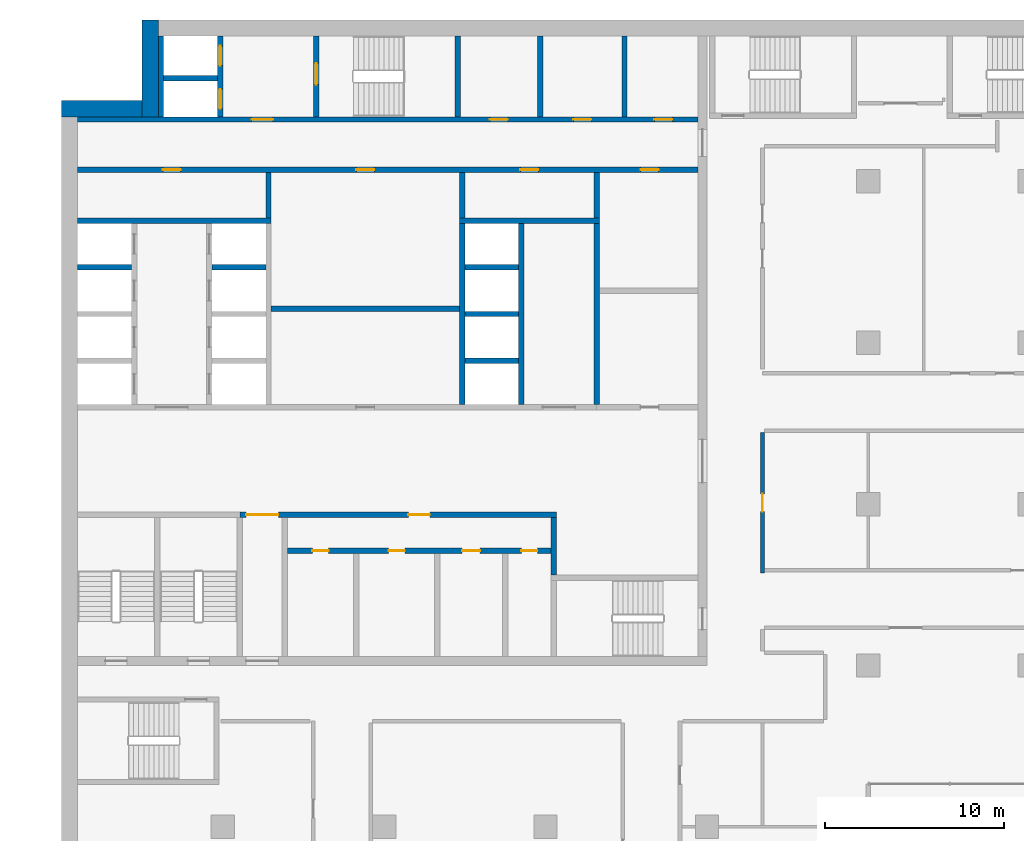
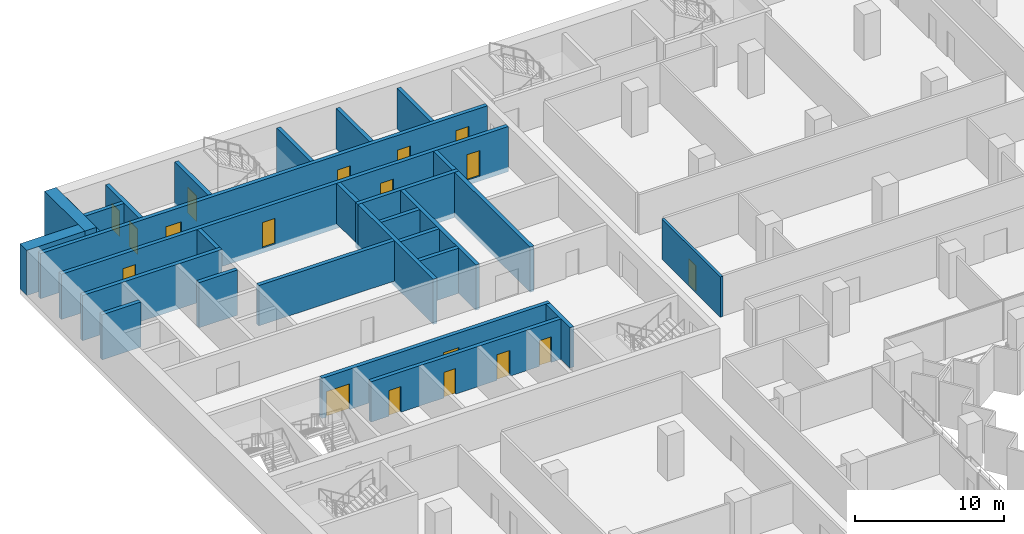
# One storey, part 13 of 23: 29 walls, 18 doors, 18 openings.
"""IFC4 building model written with IfcOpenShell, lengths in metres."""

from ifc_helpers import new_model, si_unit, direction, frame, frame_2d, origin, place, context, subcontext, project, spatial, rectangle, extrude, material, layer, layer_set, type_object, element, fill, save


model = new_model("IFC4")

# Units and contexts
model_context = context("Model", 3, precision=1e-05, world=origin(), true_north=direction((0.0, 1.0)))
body_context = subcontext(model_context, "Body", "Model", "MODEL_VIEW")
ifc_project = project(units=[si_unit("LENGTHUNIT", "METRE"), si_unit("AREAUNIT", "SQUARE_METRE"), si_unit("VOLUMEUNIT", "CUBIC_METRE"), si_unit("PLANEANGLEUNIT", "RADIAN"), si_unit("MASSUNIT", "GRAM", prefix="KILO")], contexts=[model_context])

# Site, building, storey
site_placement = place(None, origin())
site = spatial("IfcSite", under=ifc_project, at=site_placement, CompositionType="ELEMENT")
building_placement = place(site_placement, origin())
building = spatial("IfcBuilding", under=site, at=building_placement, Name="Hunhe Ridgeline Campus", CompositionType="ELEMENT")
storey_placement = place(building_placement, frame((0.0, 0.0, 107.0)))
storey = spatial("IfcBuildingStorey", under=building, at=storey_placement, Name="L26", CompositionType="ELEMENT", Elevation=107.0)

# Wall, openings, doors
ifc_material_1 = material(Name="Masonry concrete blockwork", Category="masonry")
ifc_layer_1 = layer(ifc_material_1, 0.300048828125)
ifc_layer_set_1 = layer_set([ifc_layer_1], Name="Core room partition 300 concrete block")
wall_type_1 = type_object("IfcWallType", Name="Core room partition 300 concrete block", PredefinedType="PARTITIONING", material=ifc_layer_set_1)
wall_1_placement = place(storey_placement, frame((12.60009765625, 69.39990234375, 0.0), z_axis=(0.0, 0.0, 1.0), x_axis=(1.0, 0.0, 0.0)))
wall_1 = element("IfcWall", 1, at=wall_1_placement, inside=storey, type_object=wall_type_1, Name="L26 core partition 9", PredefinedType="PARTITIONING", context=body_context, shape_type="SweptSolid", body=[
    extrude(rectangle(XDim=14.699951171875, YDim=0.300048828125, at=frame_2d((7.35009765625, 0.0))), origin(), (0.0, 0.0, 1.0), 3.300048828125),
])
opening_1_placement = place(wall_1_placement, frame((1.39990234375, 0.0, 0.0)))
opening_1 = element("IfcOpeningElement", 2, at=opening_1_placement, cuts=wall_1, Name="Opening CD8", PredefinedType="OPENING", context=body_context, shape_type="SweptSolid", body=[
    extrude(rectangle(XDim=0.89990234375, YDim=2.10009765625, at=frame_2d((0.449951171875, 1.050048828125))), frame((0.0, 0.14990234375, 0.0), z_axis=(0.0, -1.0, 0.0), x_axis=(1.0, 0.0, 0.0)), (0.0, 0.0, 1.0), 0.300048828125),
])
opening_2_placement = place(wall_1_placement, frame((5.64990234375, 0.0, 0.0)))
opening_2 = element("IfcOpeningElement", 3, at=opening_2_placement, cuts=wall_1, Name="Opening CD9", PredefinedType="OPENING", context=body_context, shape_type="SweptSolid", body=[
    extrude(rectangle(XDim=0.89990234375, YDim=2.10009765625, at=frame_2d((0.449951171875, 1.050048828125))), frame((0.0, 0.14990234375, 0.0), z_axis=(0.0, -1.0, 0.0), x_axis=(1.0, 0.0, 0.0)), (0.0, 0.0, 1.0), 0.300048828125),
])
opening_3_placement = place(wall_1_placement, frame((9.75, 0.0, 0.0)))
opening_3 = element("IfcOpeningElement", 4, at=opening_3_placement, cuts=wall_1, Name="Opening CD10", PredefinedType="OPENING", context=body_context, shape_type="SweptSolid", body=[
    extrude(rectangle(XDim=1.0, YDim=2.10009765625, at=frame_2d((0.5, 1.050048828125))), frame((0.0, 0.14990234375, 0.0), z_axis=(0.0, -1.0, 0.0), x_axis=(1.0, 0.0, 0.0)), (0.0, 0.0, 1.0), 0.300048828125),
])
opening_4_placement = place(wall_1_placement, frame((13.050048828125, 0.0, 0.0)))
opening_4 = element("IfcOpeningElement", 5, at=opening_4_placement, cuts=wall_1, Name="Opening CD11", PredefinedType="OPENING", context=body_context, shape_type="SweptSolid", body=[
    extrude(rectangle(XDim=0.89990234375, YDim=2.10009765625, at=frame_2d((0.449951171875, 1.050048828125))), frame((0.0, 0.14990234375, 0.0), z_axis=(0.0, -1.0, 0.0), x_axis=(1.0, 0.0, 0.0)), (0.0, 0.0, 1.0), 0.300048828125),
])
ifc_material_2 = material(Name="Solid core timber door leaf", Category="wood")
door_type_1 = type_object("IfcDoorType", Name="Timber door 1000x2100", OperationType="SINGLE_SWING_LEFT", PredefinedType="DOOR", material=ifc_material_2)
door_1_placement = place(opening_3_placement, frame((1.0, 0.0, 0.0), z_axis=(0.0, 0.0, 1.0), x_axis=(-1.0, 0.0, 0.0)))
door_1 = element("IfcDoor", 6, at=door_1_placement, inside=storey, type_object=door_type_1, Name="L26 door WC3", OperationType="SINGLE_SWING_RIGHT", OverallHeight=2.10009765625, OverallWidth=1.0, PredefinedType="DOOR", context=body_context, shape_type="SweptSolid", body=[
    extrude(rectangle(XDim=1.0, YDim=2.10009765625, at=frame_2d((0.5, 1.050048828125))), frame((0.0, 0.02490234375, 0.0), z_axis=(0.0, -1.0, 0.0), x_axis=(1.0, 0.0, 0.0)), (0.0, 0.0, 1.0), 0.050048828125),
])
fill(opening_3, door_1)
door_type_2 = type_object("IfcDoorType", Name="Timber door 900x2100", OperationType="SINGLE_SWING_LEFT", PredefinedType="DOOR", material=ifc_material_2)
door_2_placement = place(opening_1_placement, frame((0.89990234375, 0.0, 0.0), z_axis=(0.0, 0.0, 1.0), x_axis=(-1.0, 0.0, 0.0)))
door_2 = element("IfcDoor", 7, at=door_2_placement, inside=storey, type_object=door_type_2, Name="L26 door WC1", OperationType="SINGLE_SWING_RIGHT", OverallHeight=2.10009765625, OverallWidth=0.89990234375, PredefinedType="DOOR", context=body_context, shape_type="SweptSolid", body=[
    extrude(rectangle(XDim=0.89990234375, YDim=2.10009765625, at=frame_2d((0.449951171875, 1.050048828125))), frame((0.0, 0.02490234375, 0.0), z_axis=(0.0, -1.0, 0.0), x_axis=(1.0, 0.0, 0.0)), (0.0, 0.0, 1.0), 0.050048828125),
])
fill(opening_1, door_2)
door_3_placement = place(opening_2_placement, frame((0.89990234375, 0.0, 0.0), z_axis=(0.0, 0.0, 1.0), x_axis=(-1.0, 0.0, 0.0)))
door_3 = element("IfcDoor", 8, at=door_3_placement, inside=storey, type_object=door_type_2, Name="L26 door WC2", OperationType="SINGLE_SWING_LEFT", OverallHeight=2.10009765625, OverallWidth=0.89990234375, PredefinedType="DOOR", context=body_context, shape_type="SweptSolid", body=[
    extrude(rectangle(XDim=0.89990234375, YDim=2.10009765625, at=frame_2d((0.449951171875, 1.050048828125))), frame((0.0, 0.02490234375, 0.0), z_axis=(0.0, -1.0, 0.0), x_axis=(1.0, 0.0, 0.0)), (0.0, 0.0, 1.0), 0.050048828125),
])
fill(opening_2, door_3)
door_4_placement = place(opening_4_placement, frame((0.89990234375, 0.0, 0.0), z_axis=(0.0, 0.0, 1.0), x_axis=(-1.0, 0.0, 0.0)))
door_4 = element("IfcDoor", 9, at=door_4_placement, inside=storey, type_object=door_type_2, Name="L26 door WC4", OperationType="SINGLE_SWING_LEFT", OverallHeight=2.10009765625, OverallWidth=0.89990234375, PredefinedType="DOOR", context=body_context, shape_type="SweptSolid", body=[
    extrude(rectangle(XDim=0.89990234375, YDim=2.10009765625, at=frame_2d((0.449951171875, 1.050048828125))), frame((0.0, 0.02490234375, 0.0), z_axis=(0.0, -1.0, 0.0), x_axis=(1.0, 0.0, 0.0)), (0.0, 0.0, 1.0), 0.050048828125),
])
fill(opening_4, door_4)

wall_2_placement = place(storey_placement, frame((9.949951171875, 71.39990234375, 0.0), z_axis=(0.0, 0.0, 1.0), x_axis=(1.0, 0.0, 0.0)))
wall_2 = element("IfcWall", 10, at=wall_2_placement, inside=storey, type_object=wall_type_1, Name="L26 core partition 11", PredefinedType="PARTITIONING", context=body_context, shape_type="SweptSolid", body=[
    extrude(rectangle(XDim=17.650146484375, YDim=0.300048828125, at=frame_2d((8.8251953125, 0.0))), origin(), (0.0, 0.0, 1.0), 3.300048828125),
])
opening_5_placement = place(wall_2_placement, frame((0.35009765625, 0.0, 0.0)))
opening_5 = element("IfcOpeningElement", 11, at=opening_5_placement, cuts=wall_2, Name="Opening CD7", PredefinedType="OPENING", context=body_context, shape_type="SweptSolid", body=[
    extrude(rectangle(XDim=1.800048828125, YDim=2.10009765625, at=frame_2d((0.89990234375, 1.050048828125))), frame((0.0, 0.14990234375, 0.0), z_axis=(0.0, -1.0, 0.0), x_axis=(1.0, 0.0, 0.0)), (0.0, 0.0, 1.0), 0.300048828125),
])
opening_6_placement = place(wall_2_placement, frame((9.39990234375, 0.0, 0.0)))
opening_6 = element("IfcOpeningElement", 12, at=opening_6_placement, cuts=wall_2, Name="Opening CD12", PredefinedType="OPENING", context=body_context, shape_type="SweptSolid", body=[
    extrude(rectangle(XDim=1.199951171875, YDim=2.10009765625, at=frame_2d((0.60009765625, 1.050048828125))), frame((0.0, 0.14990234375, 0.0), z_axis=(0.0, -1.0, 0.0), x_axis=(1.0, 0.0, 0.0)), (0.0, 0.0, 1.0), 0.300048828125),
])
ifc_material_3 = material(Name="Anodised aluminium and glass", Category="aluminium")
door_type_3 = type_object("IfcDoorType", Name="Glazed double door 1800x2100", OperationType="DOUBLE_DOOR_SINGLE_SWING", PredefinedType="DOOR", material=ifc_material_3)
door_5_placement = place(opening_5_placement, origin())
door_5 = element("IfcDoor", 13, at=door_5_placement, inside=storey, type_object=door_type_3, Name="L26 door VEST-HALL", OperationType="DOUBLE_DOOR_SINGLE_SWING", OverallHeight=2.10009765625, OverallWidth=1.800048828125, PredefinedType="DOOR", context=body_context, shape_type="SweptSolid", body=[
    extrude(rectangle(XDim=1.800048828125, YDim=2.10009765625, at=frame_2d((0.89990234375, 1.050048828125))), frame((0.0, 0.02490234375, 0.0), z_axis=(0.0, -1.0, 0.0), x_axis=(1.0, 0.0, 0.0)), (0.0, 0.0, 1.0), 0.050048828125),
])
fill(opening_5, door_5)
door_type_4 = type_object("IfcDoorType", Name="Timber door 1200x2100", OperationType="SINGLE_SWING_LEFT", PredefinedType="DOOR", material=ifc_material_2)
door_6_placement = place(opening_6_placement, origin())
door_6 = element("IfcDoor", 14, at=door_6_placement, inside=storey, type_object=door_type_4, Name="L26 door WCL2-HALL", OperationType="SINGLE_SWING_LEFT", OverallHeight=2.10009765625, OverallWidth=1.199951171875, PredefinedType="DOOR", context=body_context, shape_type="SweptSolid", body=[
    extrude(rectangle(XDim=1.199951171875, YDim=2.10009765625, at=frame_2d((0.60009765625, 1.050048828125))), frame((0.0, 0.02490234375, 0.0), z_axis=(0.0, -1.0, 0.0), x_axis=(1.0, 0.0, 0.0)), (0.0, 0.0, 1.0), 0.050048828125),
])
fill(opening_6, door_6)

# Walls
wall_3_placement = place(storey_placement, frame((11.699951171875, 82.89990234375, 0.0), z_axis=(0.0, 0.0, 1.0), x_axis=(1.0, 0.0, 0.0)))
element("IfcWall", 15, at=wall_3_placement, inside=storey, type_object=wall_type_1, Name="L26 core partition 20", PredefinedType="PARTITIONING", context=body_context, shape_type="SweptSolid", body=[
    extrude(rectangle(XDim=10.5, YDim=0.300048828125, at=frame_2d((5.25, 0.0))), origin(), (0.0, 0.0, 1.0), 3.300048828125),
])
for number, where, z_axis, x_axis, name in (
    (16, (11.550048828125, 87.949951171875, 0.0), (0.0, 0.0, 1.0), (0.0, 1.0, 0.0), "L26 core partition 42"),
    (17, (22.35009765625, 87.949951171875, 0.0), (0.0, 0.0, 1.0), (0.0, 1.0, 0.0), "L26 core partition 50"),
):
    element("IfcWall", number, at=place(storey_placement, frame(where, z_axis=z_axis, x_axis=x_axis)), inside=storey, type_object=wall_type_1, Name=name, PredefinedType="PARTITIONING", context=body_context, shape_type="SweptSolid", body=[
        extrude(rectangle(XDim=2.550048828125, YDim=0.300048828125, at=frame_2d((1.27490234375, 0.0))), origin(), (0.0, 0.0, 1.0), 3.300048828125),
    ])
wall_4_placement = place(storey_placement, frame((26.699951171875, 93.60009765625, 0.0), z_axis=(0.0, 0.0, 1.0), x_axis=(0.0, 1.0, 0.0)))
element("IfcWall", 18, at=wall_4_placement, inside=storey, type_object=wall_type_1, Name="L26 core partition 54", PredefinedType="PARTITIONING", context=body_context, shape_type="SweptSolid", body=[
    extrude(rectangle(XDim=4.5, YDim=0.300048828125, at=frame_2d((2.25, 0.0))), origin(), (0.0, 0.0, 1.0), 3.300048828125),
])
wall_5_placement = place(storey_placement, frame((27.449951171875, 68.050048828125, 0.0), z_axis=(0.0, 0.0, 1.0), x_axis=(0.0, 1.0, 0.0)))
element("IfcWall", 19, at=wall_5_placement, inside=storey, type_object=wall_type_1, Name="L26 core partition 56", PredefinedType="PARTITIONING", context=body_context, shape_type="SweptSolid", body=[
    extrude(rectangle(XDim=3.199951171875, YDim=0.300048828125, at=frame_2d((1.60009765625, 0.0))), origin(), (0.0, 0.0, 1.0), 3.300048828125),
])
wall_6_placement = place(storey_placement, frame((29.85009765625, 87.949951171875, 0.0), z_axis=(0.0, 0.0, 1.0), x_axis=(0.0, 1.0, 0.0)))
element("IfcWall", 20, at=wall_6_placement, inside=storey, type_object=wall_type_1, Name="L26 core partition 58", PredefinedType="PARTITIONING", context=body_context, shape_type="SweptSolid", body=[
    extrude(rectangle(XDim=2.550048828125, YDim=0.300048828125, at=frame_2d((1.27490234375, 0.0))), origin(), (0.0, 0.0, 1.0), 3.300048828125),
])
wall_7_placement = place(storey_placement, frame((31.39990234375, 93.60009765625, 0.0), z_axis=(0.0, 0.0, 1.0), x_axis=(0.0, 1.0, 0.0)))
element("IfcWall", 21, at=wall_7_placement, inside=storey, type_object=wall_type_1, Name="L26 core partition 59", PredefinedType="PARTITIONING", context=body_context, shape_type="SweptSolid", body=[
    extrude(rectangle(XDim=4.5, YDim=0.300048828125, at=frame_2d((2.25, 0.0))), origin(), (0.0, 0.0, 1.0), 3.300048828125),
])

# Wall, opening, door
ifc_material_4 = material(Name="Gypsum board partition")
ifc_layer_2 = layer(ifc_material_4, 0.199951171875)
ifc_layer_set_2 = layer_set([ifc_layer_2], Name="Corridor partition 200 gypsum board on steel studs")
wall_type_2 = type_object("IfcWallType", Name="Corridor partition 200 gypsum board on steel studs", PredefinedType="PARTITIONING", material=ifc_layer_set_2)
wall_8_placement = place(storey_placement, frame((39.10009765625, 76.0, 0.0), z_axis=(0.0, 0.0, 1.0), x_axis=(0.0, -1.0, 0.0)))
wall_8 = element("IfcWall", 22, at=wall_8_placement, inside=storey, type_object=wall_type_2, Name="F-L26-wall-049", PredefinedType="PARTITIONING", context=body_context, shape_type="SweptSolid", body=[
    extrude(rectangle(XDim=7.845703125, YDim=0.199951171875, at=frame_2d((3.9228515625, 0.0))), origin(), (0.0, 0.0, 1.0), 3.300048828125),
])
opening_7_placement = place(wall_8_placement, frame((3.4228515625, 0.0, 0.0)))
opening_7 = element("IfcOpeningElement", 23, at=opening_7_placement, cuts=wall_8, Name="Opening RD1-025", PredefinedType="OPENING", context=body_context, shape_type="SweptSolid", body=[
    extrude(rectangle(XDim=1.0, YDim=2.10009765625, at=frame_2d((0.5, 1.050048828125))), frame((0.0, 0.10009765625, 0.0), z_axis=(0.0, -1.0, 0.0), x_axis=(1.0, 0.0, 0.0)), (0.0, 0.0, 1.0), 0.199951171875),
])
ifc_material_5 = material(Name="Timber door leaf", Category="wood")
door_type_5 = type_object("IfcDoorType", Name="Single fire door 1000x2100 timber FD60", OperationType="NOTDEFINED", PredefinedType="DOOR", material=ifc_material_5)
door_7_placement = place(opening_7_placement, origin())
door_7 = element("IfcDoor", 24, at=door_7_placement, inside=storey, type_object=door_type_5, Name="F-L26-door-025", OperationType="SINGLE_SWING_LEFT", OverallHeight=2.10009765625, OverallWidth=1.0, PredefinedType="DOOR", context=body_context, shape_type="SweptSolid", body=[
    extrude(rectangle(XDim=1.0, YDim=2.10009765625, at=frame_2d((0.5, 1.050048828125))), frame((0.0, 0.02490234375, 0.0), z_axis=(0.0, -1.0, 0.0), x_axis=(1.0, 0.0, 0.0)), (0.0, 0.0, 1.0), 0.050048828125),
])
fill(opening_7, door_7)

# Wall, openings, doors
ifc_material_6 = material(Name="Concrete C80", Category="concrete")
ifc_layer_3 = layer(ifc_material_6, 0.300048828125)
ifc_layer_set_3 = layer_set([ifc_layer_3], Name="Lobby wall 300 reinforced concrete C80")
wall_type_3 = type_object("IfcWallType", Name="Lobby wall 300 reinforced concrete C80", PredefinedType="SOLIDWALL", material=ifc_layer_set_3)
wall_9_placement = place(storey_placement, frame((0.89990234375, 90.64990234375, -0.39990234375), z_axis=(0.0, 0.0, 1.0), x_axis=(1.0, 0.0, 0.0)))
wall_9 = element("IfcWall", 25, at=wall_9_placement, inside=storey, type_object=wall_type_3, Name="L26 core wall 27", PredefinedType="SOLIDWALL", context=body_context, shape_type="SweptSolid", body=[
    extrude(rectangle(XDim=34.60009765625, YDim=0.300048828125, at=frame_2d((17.300048828125, 0.0))), origin(), (0.0, 0.0, 1.0), 3.699951171875),
])
opening_8_placement = place(wall_9_placement, frame((4.75, 0.0, 0.39990234375)))
opening_8 = element("IfcOpeningElement", 26, at=opening_8_placement, cuts=wall_9, Name="Opening CD26", PredefinedType="OPENING", context=body_context, shape_type="SweptSolid", body=[
    extrude(rectangle(XDim=1.0, YDim=2.10009765625, at=frame_2d((0.5, 1.050048828125))), frame((0.0, 0.14990234375, 0.0), z_axis=(0.0, -1.0, 0.0), x_axis=(1.0, 0.0, 0.0)), (0.0, 0.0, 1.0), 0.300048828125),
])
opening_9_placement = place(wall_9_placement, frame((24.699951171875, 0.0, 0.39990234375)))
opening_9 = element("IfcOpeningElement", 27, at=opening_9_placement, cuts=wall_9, Name="Opening CD27", PredefinedType="OPENING", context=body_context, shape_type="SweptSolid", body=[
    extrude(rectangle(XDim=1.0, YDim=2.10009765625, at=frame_2d((0.5, 1.050048828125))), frame((0.0, 0.14990234375, 0.0), z_axis=(0.0, -1.0, 0.0), x_axis=(1.0, 0.0, 0.0)), (0.0, 0.0, 1.0), 0.300048828125),
])
opening_10_placement = place(wall_9_placement, frame((15.550048828125, 0.0, 0.39990234375)))
opening_10 = element("IfcOpeningElement", 28, at=opening_10_placement, cuts=wall_9, Name="Opening CD29", PredefinedType="OPENING", context=body_context, shape_type="SweptSolid", body=[
    extrude(rectangle(XDim=1.0, YDim=2.10009765625, at=frame_2d((0.5, 1.050048828125))), frame((0.0, 0.14990234375, 0.0), z_axis=(0.0, -1.0, 0.0), x_axis=(1.0, 0.0, 0.0)), (0.0, 0.0, 1.0), 0.300048828125),
])
opening_11_placement = place(wall_9_placement, frame((31.39990234375, 0.0, 0.39990234375)))
opening_11 = element("IfcOpeningElement", 29, at=opening_11_placement, cuts=wall_9, Name="Opening CD33", PredefinedType="OPENING", context=body_context, shape_type="SweptSolid", body=[
    extrude(rectangle(XDim=1.0, YDim=2.10009765625, at=frame_2d((0.5, 1.050048828125))), frame((0.0, 0.14990234375, 0.0), z_axis=(0.0, -1.0, 0.0), x_axis=(1.0, 0.0, 0.0)), (0.0, 0.0, 1.0), 0.300048828125),
])
door_8_placement = place(opening_8_placement, frame((1.0, 0.0, 0.0), z_axis=(0.0, 0.0, 1.0), x_axis=(-1.0, 0.0, 0.0)))
door_8 = element("IfcDoor", 30, at=door_8_placement, inside=storey, type_object=door_type_1, Name="L26 door NR-0", OperationType="SINGLE_SWING_RIGHT", OverallHeight=2.10009765625, OverallWidth=1.0, PredefinedType="DOOR", context=body_context, shape_type="SweptSolid", body=[
    extrude(rectangle(XDim=1.0, YDim=2.10009765625, at=frame_2d((0.5, 1.050048828125))), frame((0.0, 0.02490234375, 0.0), z_axis=(0.0, -1.0, 0.0), x_axis=(1.0, 0.0, 0.0)), (0.0, 0.0, 1.0), 0.050048828125),
])
fill(opening_8, door_8)
door_9_placement = place(opening_9_placement, frame((1.0, 0.0, 0.0), z_axis=(0.0, 0.0, 1.0), x_axis=(-1.0, 0.0, 0.0)))
door_9 = element("IfcDoor", 31, at=door_9_placement, inside=storey, type_object=door_type_1, Name="L26 door NR-1", OperationType="SINGLE_SWING_LEFT", OverallHeight=2.10009765625, OverallWidth=1.0, PredefinedType="DOOR", context=body_context, shape_type="SweptSolid", body=[
    extrude(rectangle(XDim=1.0, YDim=2.10009765625, at=frame_2d((0.5, 1.050048828125))), frame((0.0, 0.02490234375, 0.0), z_axis=(0.0, -1.0, 0.0), x_axis=(1.0, 0.0, 0.0)), (0.0, 0.0, 1.0), 0.050048828125),
])
fill(opening_9, door_9)
door_10_placement = place(opening_10_placement, frame((1.0, 0.0, 0.0), z_axis=(0.0, 0.0, 1.0), x_axis=(-1.0, 0.0, 0.0)))
door_10 = element("IfcDoor", 32, at=door_10_placement, inside=storey, type_object=door_type_1, Name="L26 door VD-HR1", OperationType="SINGLE_SWING_LEFT", OverallHeight=2.10009765625, OverallWidth=1.0, PredefinedType="DOOR", context=body_context, shape_type="SweptSolid", body=[
    extrude(rectangle(XDim=1.0, YDim=2.10009765625, at=frame_2d((0.5, 1.050048828125))), frame((0.0, 0.02490234375, 0.0), z_axis=(0.0, -1.0, 0.0), x_axis=(1.0, 0.0, 0.0)), (0.0, 0.0, 1.0), 0.050048828125),
])
fill(opening_10, door_10)
door_11_placement = place(opening_11_placement, frame((1.0, 0.0, 0.0), z_axis=(0.0, 0.0, 1.0), x_axis=(-1.0, 0.0, 0.0)))
door_11 = element("IfcDoor", 33, at=door_11_placement, inside=storey, type_object=door_type_1, Name="L26 door ES1", OperationType="SINGLE_SWING_RIGHT", OverallHeight=2.10009765625, OverallWidth=1.0, PredefinedType="DOOR", context=body_context, shape_type="SweptSolid", body=[
    extrude(rectangle(XDim=1.0, YDim=2.10009765625, at=frame_2d((0.5, 1.050048828125))), frame((0.0, 0.02490234375, 0.0), z_axis=(0.0, -1.0, 0.0), x_axis=(1.0, 0.0, 0.0)), (0.0, 0.0, 1.0), 0.050048828125),
])
fill(opening_11, door_11)

# Walls
wall_10_placement = place(storey_placement, frame((29.85009765625, 77.550048828125, -0.39990234375), z_axis=(0.0, 0.0, 1.0), x_axis=(0.0, 1.0, 0.0)))
element("IfcWall", 34, at=wall_10_placement, inside=storey, type_object=wall_type_3, Name="L26 core wall 57", PredefinedType="SOLIDWALL", context=body_context, shape_type="SweptSolid", body=[
    extrude(rectangle(XDim=10.099853515625, YDim=0.300048828125, at=frame_2d((5.0498046875, 0.0))), origin(), (0.0, 0.0, 1.0), 3.699951171875),
])
ifc_layer_4 = layer(ifc_material_6, 0.300048828125)
ifc_layer_set_4 = layer_set([ifc_layer_4], Name="Shaft wall 300 reinforced concrete C80")
wall_type_4 = type_object("IfcWallType", Name="Shaft wall 300 reinforced concrete C80", PredefinedType="SOLIDWALL", material=ifc_layer_set_4)
for number, where, z_axis, x_axis, name in (
    (35, (22.5, 80.0, -0.39990234375), (0.0, 0.0, 1.0), (1.0, 0.0, 0.0), "L26 core wall 16"),
    (36, (22.5, 82.60009765625, -0.39990234375), (0.0, 0.0, 1.0), (1.0, 0.0, 0.0), "L26 core wall 19"),
    (37, (0.89990234375, 85.199951171875, -0.39990234375), (0.0, 0.0, 1.0), (1.0, 0.0, 0.0), "L26 core wall 22"),
    (38, (8.39990234375, 85.199951171875, -0.39990234375), (0.0, 0.0, 1.0), (1.0, 0.0, 0.0), "L26 core wall 23"),
    (39, (22.5, 85.199951171875, -0.39990234375), (0.0, 0.0, 1.0), (1.0, 0.0, 0.0), "L26 core wall 24"),
):
    element("IfcWall", number, at=place(storey_placement, frame(where, z_axis=z_axis, x_axis=x_axis)), inside=storey, type_object=wall_type_4, Name=name, PredefinedType="SOLIDWALL", context=body_context, shape_type="SweptSolid", body=[
        extrude(rectangle(XDim=3.0, YDim=0.300048828125, at=frame_2d((1.5, 0.0))), origin(), (0.0, 0.0, 1.0), 3.699951171875),
    ])
wall_11_placement = place(storey_placement, frame((0.89990234375, 87.800048828125, -0.39990234375), z_axis=(0.0, 0.0, 1.0), x_axis=(1.0, 0.0, 0.0)))
element("IfcWall", 40, at=wall_11_placement, inside=storey, type_object=wall_type_4, Name="L26 core wall 25", PredefinedType="SOLIDWALL", context=body_context, shape_type="SweptSolid", body=[
    extrude(rectangle(XDim=10.800048828125, YDim=0.300048828125, at=frame_2d((5.39990234375, 0.0))), origin(), (0.0, 0.0, 1.0), 3.699951171875),
])
wall_12_placement = place(storey_placement, frame((22.199951171875, 87.800048828125, -0.39990234375), z_axis=(0.0, 0.0, 1.0), x_axis=(1.0, 0.0, 0.0)))
element("IfcWall", 41, at=wall_12_placement, inside=storey, type_object=wall_type_4, Name="L26 core wall 26", PredefinedType="SOLIDWALL", context=body_context, shape_type="SweptSolid", body=[
    extrude(rectangle(XDim=7.800048828125, YDim=0.300048828125, at=frame_2d((3.89990234375, 0.0))), origin(), (0.0, 0.0, 1.0), 3.699951171875),
])

# Wall, openings, doors
wall_13_placement = place(storey_placement, frame((0.89990234375, 93.449951171875, -0.39990234375), z_axis=(0.0, 0.0, 1.0), x_axis=(1.0, 0.0, 0.0)))
wall_13 = element("IfcWall", 42, at=wall_13_placement, inside=storey, type_object=wall_type_4, Name="L26 core wall 28", PredefinedType="SOLIDWALL", context=body_context, shape_type="SweptSolid", body=[
    extrude(rectangle(XDim=34.60009765625, YDim=0.300048828125, at=frame_2d((17.300048828125, 0.0))), origin(), (0.0, 0.0, 1.0), 3.699951171875),
])
opening_12_placement = place(wall_13_placement, frame((9.699951171875, 0.0, 0.39990234375)))
opening_12 = element("IfcOpeningElement", 43, at=opening_12_placement, cuts=wall_13, Name="Opening CD3", PredefinedType="OPENING", context=body_context, shape_type="SweptSolid", body=[
    extrude(rectangle(XDim=1.199951171875, YDim=2.10009765625, at=frame_2d((0.60009765625, 1.050048828125))), frame((0.0, 0.14990234375, 0.0), z_axis=(0.0, -1.0, 0.0), x_axis=(1.0, 0.0, 0.0)), (0.0, 0.0, 1.0), 0.300048828125),
])
opening_13_placement = place(wall_13_placement, frame((23.0, 0.0, 0.39990234375)))
opening_13 = element("IfcOpeningElement", 44, at=opening_13_placement, cuts=wall_13, Name="Opening CD34", PredefinedType="OPENING", context=body_context, shape_type="SweptSolid", body=[
    extrude(rectangle(XDim=1.0, YDim=2.10009765625, at=frame_2d((0.5, 1.050048828125))), frame((0.0, 0.14990234375, 0.0), z_axis=(0.0, -1.0, 0.0), x_axis=(1.0, 0.0, 0.0)), (0.0, 0.0, 1.0), 0.300048828125),
])
opening_14_placement = place(wall_13_placement, frame((27.64990234375, 0.0, 0.39990234375)))
opening_14 = element("IfcOpeningElement", 45, at=opening_14_placement, cuts=wall_13, Name="Opening CD35", PredefinedType="OPENING", context=body_context, shape_type="SweptSolid", body=[
    extrude(rectangle(XDim=1.0, YDim=2.10009765625, at=frame_2d((0.5, 1.050048828125))), frame((0.0, 0.14990234375, 0.0), z_axis=(0.0, -1.0, 0.0), x_axis=(1.0, 0.0, 0.0)), (0.0, 0.0, 1.0), 0.300048828125),
])
opening_15_placement = place(wall_13_placement, frame((32.175048828125, 0.0, 0.39990234375)))
opening_15 = element("IfcOpeningElement", 46, at=opening_15_placement, cuts=wall_13, Name="Opening CD36", PredefinedType="OPENING", context=body_context, shape_type="SweptSolid", body=[
    extrude(rectangle(XDim=1.0, YDim=2.10009765625, at=frame_2d((0.5, 1.050048828125))), frame((0.0, 0.14990234375, 0.0), z_axis=(0.0, -1.0, 0.0), x_axis=(1.0, 0.0, 0.0)), (0.0, 0.0, 1.0), 0.300048828125),
])
ifc_material_7 = material(Name="Hollow metal fire door leaf")
door_type_6 = type_object("IfcDoorType", Name="Lobby door 1200x2100 FD60", OperationType="SINGLE_SWING_LEFT", PredefinedType="DOOR", material=ifc_material_7)
door_12_placement = place(opening_12_placement, frame((1.199951171875, 0.0, 0.0), z_axis=(0.0, 0.0, 1.0), x_axis=(-1.0, 0.0, 0.0)))
door_12 = element("IfcDoor", 47, at=door_12_placement, inside=storey, type_object=door_type_6, Name="L26 door FF-C1", OperationType="SINGLE_SWING_LEFT", OverallHeight=2.10009765625, OverallWidth=1.199951171875, PredefinedType="DOOR", context=body_context, shape_type="SweptSolid", body=[
    extrude(rectangle(XDim=1.199951171875, YDim=2.10009765625, at=frame_2d((0.60009765625, 1.050048828125))), frame((0.0, 0.02490234375, 0.0), z_axis=(0.0, -1.0, 0.0), x_axis=(1.0, 0.0, 0.0)), (0.0, 0.0, 1.0), 0.050048828125),
])
fill(opening_12, door_12)
door_13_placement = place(opening_13_placement, origin())
door_13 = element("IfcDoor", 48, at=door_13_placement, inside=storey, type_object=door_type_1, Name="L26 door NB0", OperationType="SINGLE_SWING_RIGHT", OverallHeight=2.10009765625, OverallWidth=1.0, PredefinedType="DOOR", context=body_context, shape_type="SweptSolid", body=[
    extrude(rectangle(XDim=1.0, YDim=2.10009765625, at=frame_2d((0.5, 1.050048828125))), frame((0.0, 0.02490234375, 0.0), z_axis=(0.0, -1.0, 0.0), x_axis=(1.0, 0.0, 0.0)), (0.0, 0.0, 1.0), 0.050048828125),
])
fill(opening_13, door_13)
door_14_placement = place(opening_14_placement, origin())
door_14 = element("IfcDoor", 49, at=door_14_placement, inside=storey, type_object=door_type_1, Name="L26 door NB1", OperationType="SINGLE_SWING_LEFT", OverallHeight=2.10009765625, OverallWidth=1.0, PredefinedType="DOOR", context=body_context, shape_type="SweptSolid", body=[
    extrude(rectangle(XDim=1.0, YDim=2.10009765625, at=frame_2d((0.5, 1.050048828125))), frame((0.0, 0.02490234375, 0.0), z_axis=(0.0, -1.0, 0.0), x_axis=(1.0, 0.0, 0.0)), (0.0, 0.0, 1.0), 0.050048828125),
])
fill(opening_14, door_14)
door_15_placement = place(opening_15_placement, origin())
door_15 = element("IfcDoor", 50, at=door_15_placement, inside=storey, type_object=door_type_1, Name="L26 door NB2", OperationType="SINGLE_SWING_RIGHT", OverallHeight=2.10009765625, OverallWidth=1.0, PredefinedType="DOOR", context=body_context, shape_type="SweptSolid", body=[
    extrude(rectangle(XDim=1.0, YDim=2.10009765625, at=frame_2d((0.5, 1.050048828125))), frame((0.0, 0.02490234375, 0.0), z_axis=(0.0, -1.0, 0.0), x_axis=(1.0, 0.0, 0.0)), (0.0, 0.0, 1.0), 0.050048828125),
])
fill(opening_15, door_15)

# Walls
wall_14_placement = place(storey_placement, frame((5.699951171875, 95.75, -0.39990234375), z_axis=(0.0, 0.0, 1.0), x_axis=(1.0, 0.0, 0.0)))
element("IfcWall", 51, at=wall_14_placement, inside=storey, type_object=wall_type_4, Name="L26 core wall 32", PredefinedType="SOLIDWALL", context=body_context, shape_type="SweptSolid", body=[
    extrude(rectangle(XDim=3.0, YDim=0.300048828125, at=frame_2d((1.5, 0.0))), origin(), (0.0, 0.0, 1.0), 3.699951171875),
])
wall_15_placement = place(storey_placement, frame((5.550048828125, 93.60009765625, -0.39990234375), z_axis=(0.0, 0.0, 1.0), x_axis=(0.0, 1.0, 0.0)))
element("IfcWall", 52, at=wall_15_placement, inside=storey, type_object=wall_type_4, Name="L26 core wall 35", PredefinedType="SOLIDWALL", context=body_context, shape_type="SweptSolid", body=[
    extrude(rectangle(XDim=4.5, YDim=0.300048828125, at=frame_2d((2.25, 0.0))), origin(), (0.0, 0.0, 1.0), 3.699951171875),
])

# Wall, openings, doors
wall_16_placement = place(storey_placement, frame((8.85009765625, 93.60009765625, -0.39990234375), z_axis=(0.0, 0.0, 1.0), x_axis=(0.0, 1.0, 0.0)))
wall_16 = element("IfcWall", 53, at=wall_16_placement, inside=storey, type_object=wall_type_4, Name="L26 core wall 39", PredefinedType="SOLIDWALL", context=body_context, shape_type="SweptSolid", body=[
    extrude(rectangle(XDim=4.5, YDim=0.300048828125, at=frame_2d((2.25, 0.0))), origin(), (0.0, 0.0, 1.0), 3.699951171875),
])
opening_16_placement = place(wall_16_placement, frame((0.449951171875, 0.0, 0.39990234375)))
opening_16 = element("IfcOpeningElement", 54, at=opening_16_placement, cuts=wall_16, Name="Opening LD-FF1", PredefinedType="OPENING", context=body_context, shape_type="SweptSolid", body=[
    extrude(rectangle(XDim=1.10009765625, YDim=2.10009765625, at=frame_2d((0.550048828125, 1.050048828125))), frame((0.0, 0.14990234375, 0.0), z_axis=(0.0, -1.0, 0.0), x_axis=(1.0, 0.0, 0.0)), (0.0, 0.0, 1.0), 0.300048828125),
])
opening_17_placement = place(wall_16_placement, frame((2.85009765625, 0.0, 0.39990234375)))
opening_17 = element("IfcOpeningElement", 55, at=opening_17_placement, cuts=wall_16, Name="Opening LD-FF2", PredefinedType="OPENING", context=body_context, shape_type="SweptSolid", body=[
    extrude(rectangle(XDim=1.10009765625, YDim=2.10009765625, at=frame_2d((0.550048828125, 1.050048828125))), frame((0.0, 0.14990234375, 0.0), z_axis=(0.0, -1.0, 0.0), x_axis=(1.0, 0.0, 0.0)), (0.0, 0.0, 1.0), 0.300048828125),
])
ifc_material_8 = material(Name="Stainless steel sliding leaves", Category="steel")
door_type_7 = type_object("IfcDoorType", Name="Landing door 1100x2100 FD120", OperationType="SLIDING_TO_LEFT", PredefinedType="DOOR", material=ifc_material_8)
door_16_placement = place(opening_16_placement, origin())
door_16 = element("IfcDoor", 56, at=door_16_placement, inside=storey, type_object=door_type_7, Name="L26 landing door FF1", OperationType="SLIDING_TO_RIGHT", OverallHeight=2.10009765625, OverallWidth=1.10009765625, PredefinedType="DOOR", context=body_context, shape_type="SweptSolid", body=[
    extrude(rectangle(XDim=1.10009765625, YDim=2.10009765625, at=frame_2d((0.550048828125, 1.050048828125))), frame((0.0, 0.02490234375, 0.0), z_axis=(0.0, -1.0, 0.0), x_axis=(1.0, 0.0, 0.0)), (0.0, 0.0, 1.0), 0.050048828125),
])
fill(opening_16, door_16)
door_17_placement = place(opening_17_placement, origin())
door_17 = element("IfcDoor", 57, at=door_17_placement, inside=storey, type_object=door_type_7, Name="L26 landing door FF2", OperationType="SLIDING_TO_LEFT", OverallHeight=2.10009765625, OverallWidth=1.10009765625, PredefinedType="DOOR", context=body_context, shape_type="SweptSolid", body=[
    extrude(rectangle(XDim=1.10009765625, YDim=2.10009765625, at=frame_2d((0.550048828125, 1.050048828125))), frame((0.0, 0.02490234375, 0.0), z_axis=(0.0, -1.0, 0.0), x_axis=(1.0, 0.0, 0.0)), (0.0, 0.0, 1.0), 0.050048828125),
])
fill(opening_17, door_17)

# Walls
for number, where, z_axis, x_axis, name in (
    (58, (22.35009765625, 77.550048828125, -0.39990234375), (0.0, 0.0, 1.0), (0.0, 1.0, 0.0), "L26 core wall 49"),
    (59, (25.64990234375, 77.550048828125, -0.39990234375), (0.0, 0.0, 1.0), (0.0, 1.0, 0.0), "L26 core wall 53"),
):
    element("IfcWall", number, at=place(storey_placement, frame(where, z_axis=z_axis, x_axis=x_axis)), inside=storey, type_object=wall_type_4, Name=name, PredefinedType="SOLIDWALL", context=body_context, shape_type="SweptSolid", body=[
        extrude(rectangle(XDim=10.099853515625, YDim=0.300048828125, at=frame_2d((5.0498046875, 0.0))), origin(), (0.0, 0.0, 1.0), 3.699951171875),
    ])
ifc_material_9 = material(Name="Concrete C70", Category="concrete")
ifc_layer_5 = layer(ifc_material_9, 0.89990234375)
ifc_layer_set_5 = layer_set([ifc_layer_5], Name="Spine wall 900 Concrete C70")
wall_type_5 = type_object("IfcWallType", Name="Spine wall 900 Concrete C70", PredefinedType="SHEAR", material=ifc_layer_set_5)
for number, where, z_axis, x_axis, name in (
    (60, (4.949951171875, 99.0, 0.0), (0.0, 0.0, 1.0), (0.0, -1.0, 0.0), "Spine wall SW2-5 L26"),
    (61, (5.400146484375, 94.050048828125, 0.0), (0.0, 0.0, 1.0), (-1.0, 0.0, 0.0), "Spine wall SW2-6 L26"),
):
    element("IfcWall", number, at=place(storey_placement, frame(where, z_axis=z_axis, x_axis=x_axis)), inside=storey, type_object=wall_type_5, Name=name, PredefinedType="SHEAR", context=body_context, shape_type="SweptSolid", body=[
        extrude(rectangle(XDim=5.400146484375, YDim=0.89990234375, at=frame_2d((2.7001953125, 0.0))), origin(), (0.0, 0.0, 1.0), 3.699951171875),
    ])

# Wall, opening, door
ifc_layer_6 = layer(ifc_material_6, 0.300048828125)
ifc_layer_set_6 = layer_set([ifc_layer_6], Name="Stair wall 300 reinforced concrete C80")
wall_type_6 = type_object("IfcWallType", Name="Stair wall 300 reinforced concrete C80", PredefinedType="SOLIDWALL", material=ifc_layer_set_6)
wall_17_placement = place(storey_placement, frame((14.199951171875, 93.60009765625, -0.39990234375), z_axis=(0.0, 0.0, 1.0), x_axis=(0.0, 1.0, 0.0)))
wall_17 = element("IfcWall", 62, at=wall_17_placement, inside=storey, type_object=wall_type_6, Name="L26 core wall 44", PredefinedType="SOLIDWALL", context=body_context, shape_type="SweptSolid", body=[
    extrude(rectangle(XDim=4.5, YDim=0.300048828125, at=frame_2d((2.25, 0.0))), origin(), (0.0, 0.0, 1.0), 3.699951171875),
])
opening_18_placement = place(wall_17_placement, frame((1.800048828125, 0.0, 0.39990234375)))
opening_18 = element("IfcOpeningElement", 63, at=opening_18_placement, cuts=wall_17, Name="Opening CD16", PredefinedType="OPENING", context=body_context, shape_type="SweptSolid", body=[
    extrude(rectangle(XDim=1.199951171875, YDim=2.10009765625, at=frame_2d((0.60009765625, 1.050048828125))), frame((0.0, 0.14990234375, 0.0), z_axis=(0.0, -1.0, 0.0), x_axis=(1.0, 0.0, 0.0)), (0.0, 0.0, 1.0), 0.300048828125),
])
door_type_8 = type_object("IfcDoorType", Name="Stair door 1200x2100 FD60", OperationType="SINGLE_SWING_LEFT", PredefinedType="DOOR", material=ifc_material_7)
door_18_placement = place(opening_18_placement, origin())
door_18 = element("IfcDoor", 64, at=door_18_placement, inside=storey, type_object=door_type_8, Name="L26 door S1-FF", OperationType="SINGLE_SWING_LEFT", OverallHeight=2.10009765625, OverallWidth=1.199951171875, PredefinedType="DOOR", context=body_context, shape_type="SweptSolid", body=[
    extrude(rectangle(XDim=1.199951171875, YDim=2.10009765625, at=frame_2d((0.60009765625, 1.050048828125))), frame((0.0, 0.02490234375, 0.0), z_axis=(0.0, -1.0, 0.0), x_axis=(1.0, 0.0, 0.0)), (0.0, 0.0, 1.0), 0.050048828125),
])
fill(opening_18, door_18)

# Wall
wall_18_placement = place(storey_placement, frame((22.10009765625, 93.60009765625, -0.39990234375), z_axis=(0.0, 0.0, 1.0), x_axis=(0.0, 1.0, 0.0)))
element("IfcWall", 65, at=wall_18_placement, inside=storey, type_object=wall_type_6, Name="L26 core wall 48", PredefinedType="SOLIDWALL", context=body_context, shape_type="SweptSolid", body=[
    extrude(rectangle(XDim=4.5, YDim=0.300048828125, at=frame_2d((2.25, 0.0))), origin(), (0.0, 0.0, 1.0), 3.699951171875),
])

save(model, "model.ifc")
